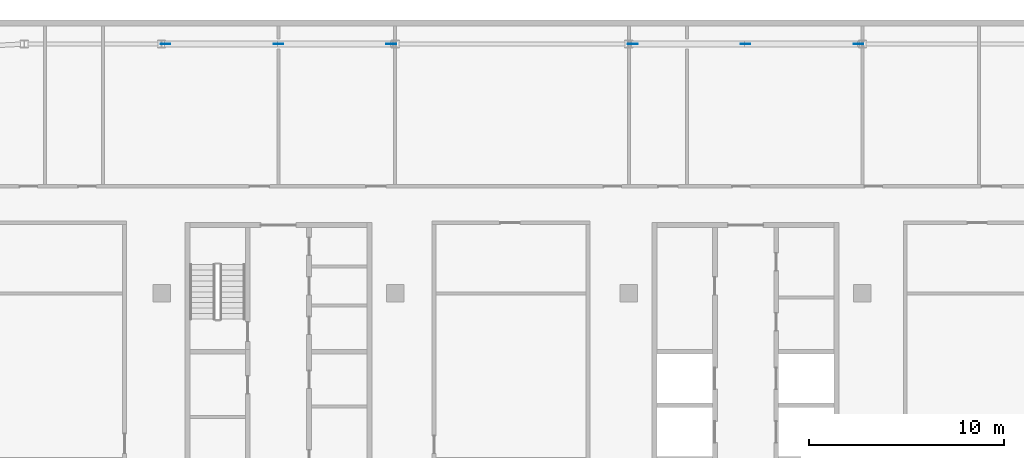
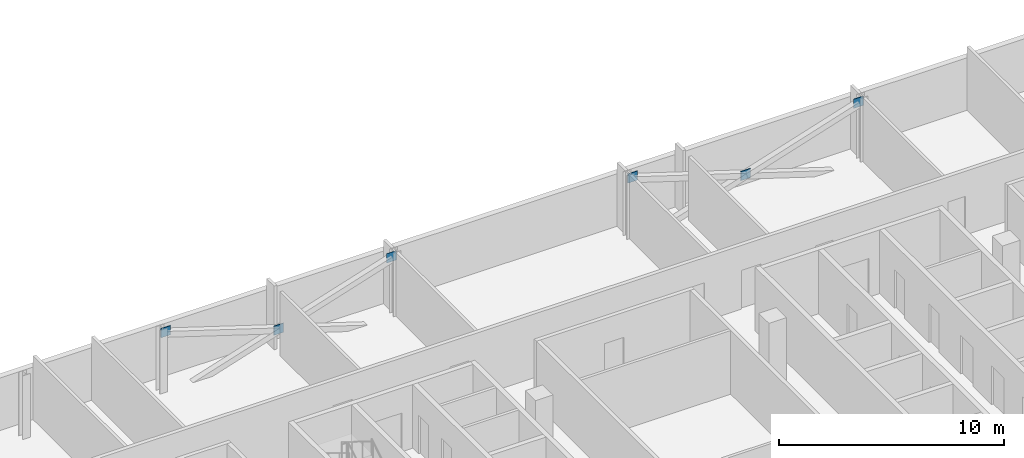
# One storey, part 22 of 28: 6 discrete accessories.
"""IFC4 building model written with IfcOpenShell, lengths in metres."""

import ifcopenshell
import ifcopenshell.guid

model = None  # the IFC model being written
_history = None  # IfcOwnerHistory: only IFC2X3 demands one
_inside = {}  # id of a spatial element -> (the spatial element, [elements in it])
_under = {}  # id of a project, library or spatial element -> (it, [spatial elements below it])
_declared = {}  # id of a project -> (the project, [libraries it declares])
_typed = {}  # id of a type object -> (the type object, [elements of that type])
_made_of = {}  # id of a material, layer set ... -> (it, [elements and type objects made of it])


def new_model(schema):
    """Start an empty IFC model of exactly this schema.

    Asked for "IFC4X3", IfcOpenShell would pick the latest addendum, in which some entities
    have other attributes; the version numbers below select the first issue.
    IFC2X3 requires an IfcOwnerHistory on every rooted entity: one is made here for all.
    """
    global model, _history
    if schema == "IFC4X3":
        model = ifcopenshell.file(schema_version=(4, 3, 0, 0))
    else:
        model = ifcopenshell.file(schema=schema)
    _inside.clear()
    _under.clear()
    _declared.clear()
    _typed.clear()
    _made_of.clear()
    _history = None
    if model.schema == "IFC2X3":
        org = make("IfcOrganization", Name="unknown")
        user = make(
            "IfcPersonAndOrganization",
            ThePerson=make("IfcPerson", FamilyName="unknown"),
            TheOrganization=org,
        )
        app = make(
            "IfcApplication",
            ApplicationDeveloper=org,
            Version="unknown",
            ApplicationFullName="unknown",
            ApplicationIdentifier="unknown",
        )
        _history = make(
            "IfcOwnerHistory",
            OwningUser=user,
            OwningApplication=app,
            ChangeAction="ADDED",
            CreationDate=0,
        )
    return model


def make(cls, **values):
    """One entity of the class cls with the attributes given. An attribute that is None is left unset."""
    return model.create_entity(
        cls, **{name: value for name, value in values.items() if value is not None}
    )


def rooted(cls, **values):
    """An entity with a GlobalId (a new one), such as an element, a storey or a relation."""
    return make(cls, GlobalId=ifcopenshell.guid.new(), OwnerHistory=_history, **values)


def si_unit(unit_type, name, prefix=None):
    """IfcSIUnit, for example si_unit("LENGTHUNIT", "METRE", prefix="MILLI")."""
    return make("IfcSIUnit", UnitType=unit_type, Prefix=prefix, Name=name)


def assignment(units):
    """IfcUnitAssignment: the units of a project."""
    return None if units is None else make("IfcUnitAssignment", Units=units)


def point(xyz):
    """IfcCartesianPoint."""
    return None if xyz is None else make("IfcCartesianPoint", Coordinates=xyz)


def direction(xyz):
    """IfcDirection."""
    return None if xyz is None else make("IfcDirection", DirectionRatios=xyz)


def frame(location, z_axis=None, x_axis=None):
    """IfcAxis2Placement3D, a coordinate frame: its origin and axes. An axis left out is left unset."""
    return make(
        "IfcAxis2Placement3D",
        Location=point(location),
        Axis=direction(z_axis),
        RefDirection=direction(x_axis),
    )


def frame_2d(location, x_axis=None):
    """IfcAxis2Placement2D, a coordinate frame in the plane: its origin and x axis."""
    return make(
        "IfcAxis2Placement2D", Location=point(location), RefDirection=direction(x_axis)
    )


def origin():
    """The frame at (0, 0, 0) with its axes left unset."""
    return frame((0.0, 0.0, 0.0))


def origin_2d():
    """The frame at (0, 0) in the plane with its x axis left unset."""
    return frame_2d((0.0, 0.0))


def place(relative_to, where):
    """IfcLocalPlacement: puts the frame where relative to a parent placement (None: the world)."""
    return make(
        "IfcLocalPlacement", PlacementRelTo=relative_to, RelativePlacement=where
    )


def context(
    kind, dimensions, precision=None, world=None, true_north=None, identifier=None
):
    """IfcGeometricRepresentationContext, for example the 3D "Model" context."""
    return make(
        "IfcGeometricRepresentationContext",
        ContextIdentifier=identifier,
        ContextType=kind,
        CoordinateSpaceDimension=dimensions,
        Precision=precision,
        WorldCoordinateSystem=world,
        TrueNorth=true_north,
    )


def subcontext(parent, identifier, kind, view, scale=None):
    """IfcGeometricRepresentationSubContext, for example "Body" below "Model"."""
    return make(
        "IfcGeometricRepresentationSubContext",
        ContextIdentifier=identifier,
        ContextType=kind,
        ParentContext=parent,
        TargetScale=scale,
        TargetView=view,
    )


def project(units=None, contexts=None):
    """IfcProject with its units and contexts."""
    return rooted(
        "IfcProject",
        Name="project",
        RepresentationContexts=contexts,
        UnitsInContext=assignment(units),
    )


def spatial(cls, under=None, at=None, **own):
    """A site, building, storey or space (cls), placed at a placement, below another one or the project."""
    s = rooted(cls, ObjectPlacement=at, **own)
    if under is not None:
        _under.setdefault(under.id(), (under, []))[1].append(s)
    return s


def profile(cls, at=None, kind="AREA", **sizes):
    """A parametric profile (cls). Its sizes go by their IFC names, for example OverallWidth=200.0."""
    return make(cls, ProfileType=kind, Position=at, **sizes)


def rectangle(**sizes):
    """IfcRectangleProfileDef."""
    return profile("IfcRectangleProfileDef", **sizes)


def extrude(swept, where, along, depth):
    """IfcExtrudedAreaSolid: the profile swept, set in the frame where, extruded along a direction by depth."""
    return make(
        "IfcExtrudedAreaSolid",
        SweptArea=swept,
        Position=where,
        ExtrudedDirection=direction(along),
        Depth=depth,
    )


def shape(context_of_items, identifier, shape_type, items):
    """IfcShapeRepresentation: the items that make up one representation, for example the "Body"."""
    return make(
        "IfcShapeRepresentation",
        ContextOfItems=context_of_items,
        RepresentationIdentifier=identifier,
        RepresentationType=shape_type,
        Items=items,
    )


def material(Name=None, Category=None):
    """IfcMaterial."""
    return make("IfcMaterial", Name=Name, Category=Category)


def layer(
    of_material, thickness, ventilated=None, Name=None, Category=None, Priority=None
):
    """IfcMaterialLayer: one layer of a wall or slab, of a material (None: an air gap)."""
    return make(
        "IfcMaterialLayer",
        Material=of_material,
        LayerThickness=thickness,
        IsVentilated=ventilated,
        Name=Name,
        Category=Category,
        Priority=Priority,
    )


def layer_set(layers, Name=None):
    """IfcMaterialLayerSet."""
    return make("IfcMaterialLayerSet", MaterialLayers=layers, LayerSetName=Name)


def made_of(thing, what):
    """Note that an element or type object is made of a material, layer set ...; save() writes the relation."""
    if what is not None:
        _made_of.setdefault(what.id(), (what, []))[1].append(thing)
    return thing


def type_object(cls, material=None, **own):
    """A type object (cls), such as IfcWallType, which elements share."""
    return made_of(rooted(cls, **own), material)


def element(
    cls,
    number,
    at=None,
    inside=None,
    cuts=None,
    type_object=None,
    material=None,
    context=None,
    identifier="Body",
    shape_type=None,
    held_by="IfcProductDefinitionShape",
    body=None,
    shapes=None,
    **own,
):
    """One element of the class cls, such as IfcWall. Its Tag is "e" and its number.

    at: its placement. inside: the storey or other place that contains it. cuts: it is an
    opening in that element (IfcRelVoidsElement). A single representation is given by context,
    identifier, shape_type and body (its items); several are given by shapes. held_by: the class
    of the entity that holds the representations. save() writes the other relations.
    """
    e = rooted(cls, Tag="e%d" % number, ObjectPlacement=at, **own)
    if body is not None:
        shapes = [shape(context, identifier, shape_type, body)]
    if shapes is not None:
        e.Representation = make(held_by, Representations=shapes)
    if inside is not None:
        _inside.setdefault(inside.id(), (inside, []))[1].append(e)
    if cuts is not None:
        rooted(
            "IfcRelVoidsElement", RelatingBuildingElement=cuts, RelatedOpeningElement=e
        )
    if type_object is not None:
        _typed.setdefault(type_object.id(), (type_object, []))[1].append(e)
    return made_of(e, material)


def aggregate(whole, parts):
    """IfcRelAggregates: a whole, such as a stair, and the parts it consists of."""
    return rooted("IfcRelAggregates", RelatingObject=whole, RelatedObjects=parts)


def save(model, path):
    """Write the relations noted so far, then the file.

    IfcRelAggregates (storeys below a building ...), IfcRelContainedInSpatialStructure (elements
    in a storey), IfcRelDefinesByType, IfcRelAssociatesMaterial and IfcRelDeclares: one each for
    every whole, place, type object, material and project.
    """
    for whole, parts in _under.values():
        aggregate(whole, parts)
    for where, things in _inside.values():
        rooted(
            "IfcRelContainedInSpatialStructure",
            RelatedElements=things,
            RelatingStructure=where,
        )
    for kind, things in _typed.values():
        rooted("IfcRelDefinesByType", RelatedObjects=things, RelatingType=kind)
    for what, things in _made_of.values():
        rooted("IfcRelAssociatesMaterial", RelatedObjects=things, RelatingMaterial=what)
    for by, libraries in _declared.values():
        rooted("IfcRelDeclares", RelatingContext=by, RelatedDefinitions=libraries)
    model.write(path)


model = new_model("IFC4")

# Units and contexts
model_context = context("Model", 3, precision=1e-05, world=origin(), true_north=direction((0.0, 1.0)))
body_context = subcontext(model_context, "Body", "Model", "MODEL_VIEW")
ifc_project = project(units=[si_unit("LENGTHUNIT", "METRE"), si_unit("AREAUNIT", "SQUARE_METRE"), si_unit("VOLUMEUNIT", "CUBIC_METRE"), si_unit("PLANEANGLEUNIT", "RADIAN"), si_unit("MASSUNIT", "GRAM", prefix="KILO")], contexts=[model_context])

# Site, building, storey
site_placement = place(None, origin())
site = spatial("IfcSite", under=ifc_project, at=site_placement, CompositionType="ELEMENT")
building_placement = place(site_placement, origin())
building = spatial("IfcBuilding", under=site, at=building_placement, Name="Mahtab Terrace Research Tower", CompositionType="ELEMENT")
storey_placement = place(building_placement, frame((0.0, 0.0, 270.89990234375)))
storey = spatial("IfcBuildingStorey", under=building, at=storey_placement, Name="L66", CompositionType="ELEMENT", Elevation=270.89990234375)

# Discrete accessories
ifc_material = material(Name="Steel ASTM A992 Gr 50", Category="steel")
ifc_layer = layer(ifc_material, 0.030029296875)
ifc_layer_set = layer_set([ifc_layer], Name="Gusset plate 500x500x30")
discrete_accessory_type = type_object("IfcDiscreteAccessoryType", Name="Gusset plate 500x500x30", PredefinedType="USERDEFINED", material=ifc_layer_set)
for number, where, z_axis, x_axis, name in (
    (1, (-29.802978515625, 24.306884765625, 2.906494140625), (0.0, 0.0, 1.0), (1.0, 0.0, 0.0), "Gusset plate"),
    (2, (-24.0, 24.306884765625, 1.006591796875), (0.0, 0.0, 1.0), (1.0, 0.0, 0.0), "Gusset plate"),
    (3, (-18.197021484375, 24.306884765625, 2.906494140625), (0.0, 0.0, 1.0), (1.0, 0.0, 0.0), "Gusset plate"),
    (4, (-5.802978515625, 24.306884765625, 2.906494140625), (0.0, 0.0, 1.0), (1.0, 0.0, 0.0), "Gusset plate"),
    (5, (0.0, 24.306884765625, 1.006591796875), (0.0, 0.0, 1.0), (1.0, 0.0, 0.0), "Gusset plate"),
    (6, (5.802978515625, 24.306884765625, 2.906494140625), (0.0, 0.0, 1.0), (1.0, 0.0, 0.0), "Gusset plate"),
):
    element("IfcDiscreteAccessory", number, at=place(storey_placement, frame(where, z_axis=z_axis, x_axis=x_axis)), inside=storey, type_object=discrete_accessory_type, Name=name, ObjectType="GUSSET PLATE", PredefinedType="USERDEFINED", context=body_context, shape_type="SweptSolid", body=[
        extrude(rectangle(XDim=0.5, YDim=0.030029296875, at=origin_2d()), origin(), (0.0, 0.0, 1.0), 0.5),
    ])

save(model, "model.ifc")
